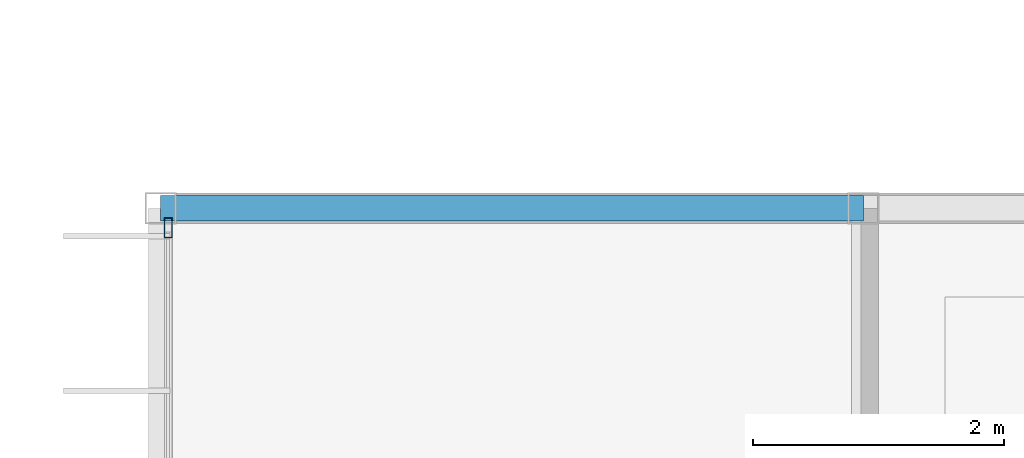
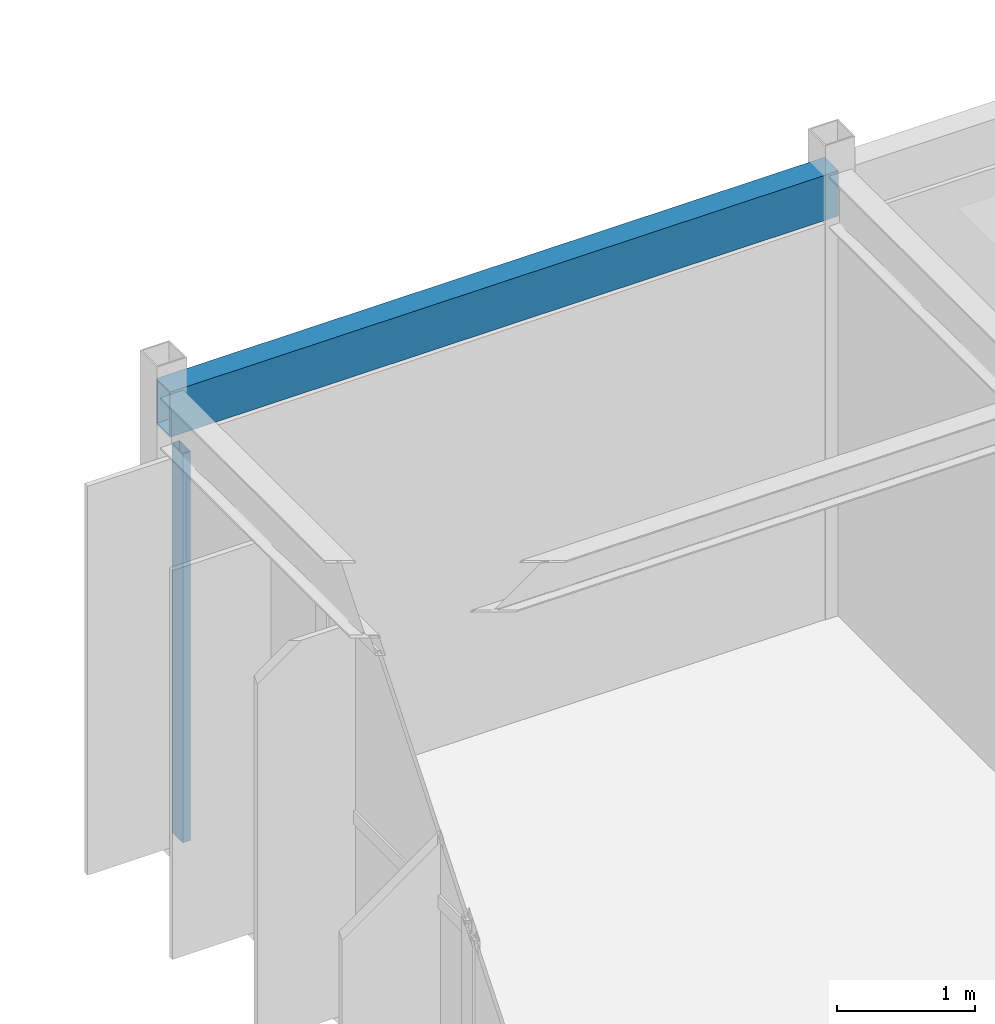
# One storey, part 69 of 148: 1 beam, 1 member, 1 element without a shape of its own.
"""IFC4 building model written with IfcOpenShell, lengths in metres."""

from ifc_helpers import new_model, si_unit, direction, frame, origin, origin_2d, place, context, subcontext, project, spatial, hollow_rectangle, extrude, material, material_profile, profile_set, type_object, element, aggregate, save


model = new_model("IFC4")

# Units and contexts
model_context = context("Model", 3, precision=1e-05, world=origin(), true_north=direction((0.0, 1.0)))
body_context = subcontext(model_context, "Body", "Model", "MODEL_VIEW")
ifc_project = project(units=[si_unit("LENGTHUNIT", "METRE"), si_unit("AREAUNIT", "SQUARE_METRE"), si_unit("VOLUMEUNIT", "CUBIC_METRE"), si_unit("PLANEANGLEUNIT", "RADIAN"), si_unit("MASSUNIT", "GRAM", prefix="KILO")], contexts=[model_context])

# Site, building, storey
site_placement = place(None, origin())
site = spatial("IfcSite", under=ifc_project, at=site_placement, CompositionType="ELEMENT")
building_placement = place(site_placement, origin())
building = spatial("IfcBuilding", under=site, at=building_placement, Name="Karori Crest Natural Sciences Institute", CompositionType="ELEMENT")
storey_placement = place(building_placement, frame((0.0, 0.0, 4.89990234375)))
storey = spatial("IfcBuildingStorey", under=building, at=storey_placement, Name="L01", CompositionType="ELEMENT", Elevation=4.89990234375)

# Beam
ifc_material_1 = material(Name="Hollow structural steel AS/NZS 1163 Grade C350", Category="steel")
ifc_material_profile_1 = material_profile(ifc_material_1, hollow_rectangle(XDim=0.199951171875, YDim=0.39990234375, WallThickness=0.012451171875, at=origin_2d()), Name="RHS400x200x12.5")
ifc_profile_set_1 = profile_set([ifc_material_profile_1], Name="Hollow structural steel AS/NZS 1163 Grade C350")
beam_type = type_object("IfcBeamType", Name="BT-14", PredefinedType="SPANDREL", material=ifc_profile_set_1)
beam_placement = place(storey_placement, frame((1.800048828125, 73.39990234375, 3.72021484375), z_axis=(1.0, 0.0, 0.0), x_axis=(0.0, 1.0, 0.0)))
element("IfcBeam", 1, at=beam_placement, inside=storey, type_object=beam_type, Name="Beam B-1025", PredefinedType="SPANDREL", context=body_context, shape_type="SweptSolid", body=[
    extrude(hollow_rectangle(XDim=0.199951171875, YDim=0.39990234375, WallThickness=0.012451171875, at=origin_2d()), origin(), (0.0, 0.0, 1.0), 5.599853515625),
])

# Curtain wall, member
ifc_material_2 = material(Name="Anodised architectural aluminium 6063-T6", Category="aluminium")
curtain_wall_type = type_object("IfcCurtainWallType", Name="CWT-17", PredefinedType="NOTDEFINED", material=ifc_material_2)
curtain_wall_placement = place(storey_placement, origin())
curtain_wall = element("IfcCurtainWall", 2, at=curtain_wall_placement, inside=storey, type_object=curtain_wall_type, Name="Curtain wall CW-0266", PredefinedType="NOTDEFINED")
ifc_material_profile_2 = material_profile(ifc_material_2, hollow_rectangle(XDim=0.06494140625, YDim=0.159912109375, WallThickness=0.00390625, at=origin_2d()), Name="CWM160x65x4")
ifc_profile_set_2 = profile_set([ifc_material_profile_2], Name="Anodised architectural aluminium 6063-T6")
member_type = type_object("IfcMemberType", Name="CWM-01", PredefinedType="MULLION", material=ifc_profile_set_2)
member_placement = place(storey_placement, frame((1.860107421875, 73.244384765625, 0.0), z_axis=(0.0, 0.0, 1.0), x_axis=(-1.0, 0.0, 0.0)))
member = element("IfcMember", 3, at=member_placement, type_object=member_type, Name="CW-0266 mullion 4", PredefinedType="MULLION", context=body_context, shape_type="SweptSolid", body=[
    extrude(hollow_rectangle(XDim=0.06494140625, YDim=0.159912109375, WallThickness=0.00390625, at=origin_2d()), origin(), (0.0, 0.0, 1.0), 3.445068359375),
])
aggregate(curtain_wall, [member])

save(model, "model.ifc")
